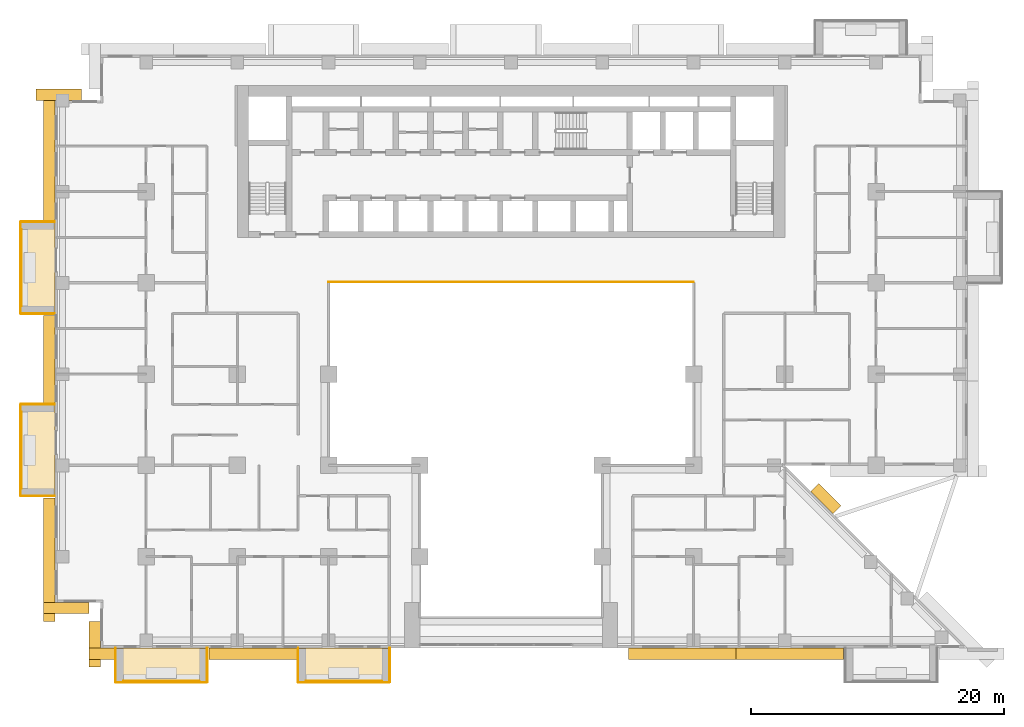
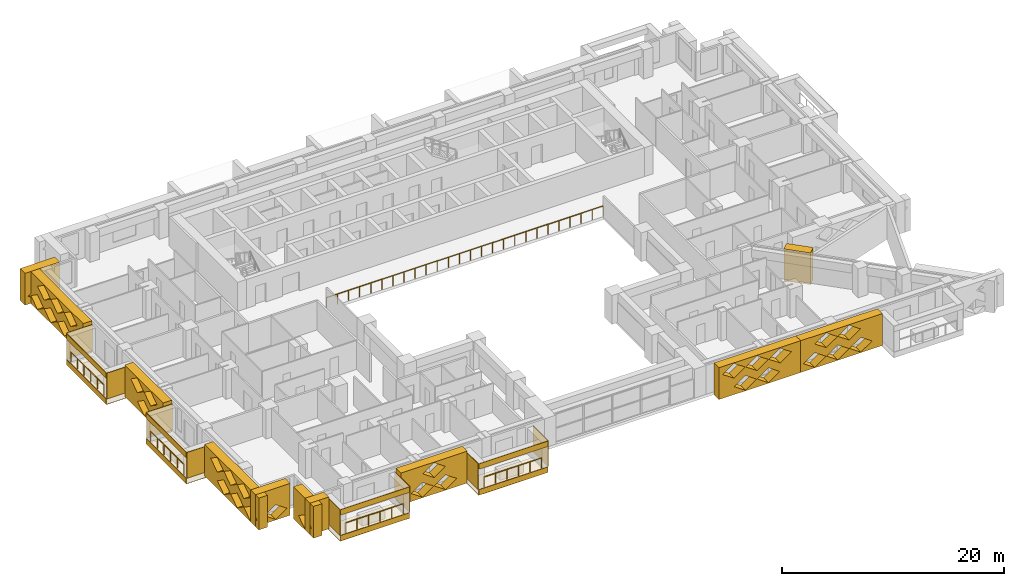
# One storey, part 14 of 17: 31 coverings, 5 railings.
"""IFC4 building model written with IfcOpenShell, lengths in metres."""

from ifc_helpers import new_model, si_unit, direction, frame, origin, origin_2d, place, context, subcontext, project, spatial, polyline, circle, outline, extrude, material, layer, layer_set, type_object, element, save


model = new_model("IFC4")

# Units and contexts
model_context = context("Model", 3, precision=1e-05, world=origin(), true_north=direction((0.0, 1.0)))
body_context = subcontext(model_context, "Body", "Model", "MODEL_VIEW")
ifc_project = project(units=[si_unit("LENGTHUNIT", "METRE"), si_unit("AREAUNIT", "SQUARE_METRE"), si_unit("VOLUMEUNIT", "CUBIC_METRE"), si_unit("PLANEANGLEUNIT", "RADIAN"), si_unit("MASSUNIT", "GRAM", prefix="KILO")], contexts=[model_context])

# Site, building, storey
site_placement = place(None, origin())
site = spatial("IfcSite", under=ifc_project, at=site_placement, CompositionType="ELEMENT")
building_placement = place(site_placement, origin())
building = spatial("IfcBuilding", under=site, at=building_placement, Name="Saffron Iwan Residences", CompositionType="ELEMENT")
storey_placement = place(building_placement, frame((0.0, 0.0, 76.0)))
storey = spatial("IfcBuildingStorey", under=building, at=storey_placement, Name="L19", CompositionType="ELEMENT", Elevation=76.0)

# Railings
ifc_material_1 = material(Name="Stainless steel 316", Category="steel")
railing_type_1 = type_object("IfcRailingType", Name="Atrium guard 1150", PredefinedType="GUARDRAIL", material=ifc_material_1)
railing_placement = place(storey_placement, frame((36.0, 62.47509765625, 0.0)))
element("IfcRailing", 1, at=railing_placement, inside=storey, type_object=railing_type_1, Name="Atrium guard L19", PredefinedType="GUARDRAIL", context=body_context, shape_type="SweptSolid", body=[
    extrude(circle(Radius=0.02392578125, at=origin_2d()), frame((0.0, 0.0, 1.1259765625), z_axis=(1.0, 0.0, 0.0), x_axis=(0.0, 1.0, 0.0)), (0.0, 0.0, 1.0), 28.800048828125),
    extrude(circle(Radius=0.02099609375, at=origin_2d()), origin(), (0.0, 0.0, 1.0), 1.101806640625),
    extrude(circle(Radius=0.02099609375, at=origin_2d()), frame((1.152099609375, 0.0, 0.0)), (0.0, 0.0, 1.0), 1.101806640625),
    extrude(circle(Radius=0.02099609375, at=origin_2d()), frame((2.303955078125, 0.0, 0.0)), (0.0, 0.0, 1.0), 1.101806640625),
    extrude(circle(Radius=0.02099609375, at=origin_2d()), frame((3.4560546875, 0.0, 0.0)), (0.0, 0.0, 1.0), 1.101806640625),
    extrude(circle(Radius=0.02099609375, at=origin_2d()), frame((4.60791015625, 0.0, 0.0)), (0.0, 0.0, 1.0), 1.101806640625),
    extrude(circle(Radius=0.02099609375, at=origin_2d()), frame((5.760009765625, 0.0, 0.0)), (0.0, 0.0, 1.0), 1.101806640625),
    extrude(circle(Radius=0.02099609375, at=origin_2d()), frame((6.912109375, 0.0, 0.0)), (0.0, 0.0, 1.0), 1.101806640625),
    extrude(circle(Radius=0.02099609375, at=origin_2d()), frame((8.06396484375, 0.0, 0.0)), (0.0, 0.0, 1.0), 1.101806640625),
    extrude(circle(Radius=0.02099609375, at=origin_2d()), frame((9.216064453125, 0.0, 0.0)), (0.0, 0.0, 1.0), 1.101806640625),
    extrude(circle(Radius=0.02099609375, at=origin_2d()), frame((10.367919921875, 0.0, 0.0)), (0.0, 0.0, 1.0), 1.101806640625),
    extrude(circle(Radius=0.02099609375, at=origin_2d()), frame((11.52001953125, 0.0, 0.0)), (0.0, 0.0, 1.0), 1.101806640625),
    extrude(circle(Radius=0.02099609375, at=origin_2d()), frame((12.672119140625, 0.0, 0.0)), (0.0, 0.0, 1.0), 1.101806640625),
    extrude(circle(Radius=0.02099609375, at=origin_2d()), frame((13.823974609375, 0.0, 0.0)), (0.0, 0.0, 1.0), 1.101806640625),
    extrude(circle(Radius=0.02099609375, at=origin_2d()), frame((14.97607421875, 0.0, 0.0)), (0.0, 0.0, 1.0), 1.101806640625),
    extrude(circle(Radius=0.02099609375, at=origin_2d()), frame((16.1279296875, 0.0, 0.0)), (0.0, 0.0, 1.0), 1.101806640625),
    extrude(circle(Radius=0.02099609375, at=origin_2d()), frame((17.280029296875, 0.0, 0.0)), (0.0, 0.0, 1.0), 1.101806640625),
    extrude(circle(Radius=0.02099609375, at=origin_2d()), frame((18.43212890625, 0.0, 0.0)), (0.0, 0.0, 1.0), 1.101806640625),
    extrude(circle(Radius=0.02099609375, at=origin_2d()), frame((19.583984375, 0.0, 0.0)), (0.0, 0.0, 1.0), 1.101806640625),
    extrude(circle(Radius=0.02099609375, at=origin_2d()), frame((20.736083984375, 0.0, 0.0)), (0.0, 0.0, 1.0), 1.101806640625),
    extrude(circle(Radius=0.02099609375, at=origin_2d()), frame((21.887939453125, 0.0, 0.0)), (0.0, 0.0, 1.0), 1.101806640625),
    extrude(circle(Radius=0.02099609375, at=origin_2d()), frame((23.0400390625, 0.0, 0.0)), (0.0, 0.0, 1.0), 1.101806640625),
    extrude(circle(Radius=0.02099609375, at=origin_2d()), frame((24.192138671875, 0.0, 0.0)), (0.0, 0.0, 1.0), 1.101806640625),
    extrude(circle(Radius=0.02099609375, at=origin_2d()), frame((25.343994140625, 0.0, 0.0)), (0.0, 0.0, 1.0), 1.101806640625),
    extrude(circle(Radius=0.02099609375, at=origin_2d()), frame((26.49609375, 0.0, 0.0)), (0.0, 0.0, 1.0), 1.101806640625),
    extrude(circle(Radius=0.02099609375, at=origin_2d()), frame((27.64794921875, 0.0, 0.0)), (0.0, 0.0, 1.0), 1.101806640625),
    extrude(circle(Radius=0.02099609375, at=origin_2d()), frame((28.800048828125, 0.0, 0.0)), (0.0, 0.0, 1.0), 1.101806640625),
])
railing_type_2 = type_object("IfcRailingType", Name="BALCONY GUARD 1150", PredefinedType="GUARDRAIL", material=ifc_material_1)
for number, where, name in (
    (2, (11.77490234375, 66.60009765625, 0.0), "Balcony guard L19 F8-0"),
    (3, (11.77490234375, 52.199951171875, 0.0), "Balcony guard L19 F8-1"),
):
    element("IfcRailing", number, at=place(storey_placement, frame(where)), inside=storey, type_object=railing_type_2, Name=name, PredefinedType="GUARDRAIL", context=body_context, shape_type="SweptSolid", body=[
        extrude(circle(Radius=0.02392578125, at=origin_2d()), frame((0.0, 0.0, 1.1259765625), z_axis=(0.0, -1.0, 0.0), x_axis=(1.0, 0.0, 0.0)), (0.0, 0.0, 1.0), 6.0),
        extrude(circle(Radius=0.02099609375, at=origin_2d()), origin(), (0.0, 0.0, 1.0), 1.101806640625),
        extrude(circle(Radius=0.02099609375, at=origin_2d()), frame((0.0, -1.199951171875, 0.0)), (0.0, 0.0, 1.0), 1.101806640625),
        extrude(circle(Radius=0.02099609375, at=origin_2d()), frame((0.0, -2.39990234375, 0.0)), (0.0, 0.0, 1.0), 1.101806640625),
        extrude(circle(Radius=0.02099609375, at=origin_2d()), frame((0.0, -3.60009765625, 0.0)), (0.0, 0.0, 1.0), 1.101806640625),
        extrude(circle(Radius=0.02099609375, at=origin_2d()), frame((0.0, -4.800048828125, 0.0)), (0.0, 0.0, 1.0), 1.101806640625),
        extrude(circle(Radius=0.02099609375, at=origin_2d()), frame((0.0, -6.0, 0.0)), (0.0, 0.0, 1.0), 1.101806640625),
    ])
for number, where, name in (
    (4, (19.800048828125, 30.97509765625, 0.0), "Balcony guard L19 11-0"),
    (5, (34.199951171875, 30.97509765625, 0.0), "Balcony guard L19 11-1"),
):
    element("IfcRailing", number, at=place(storey_placement, frame(where)), inside=storey, type_object=railing_type_2, Name=name, PredefinedType="GUARDRAIL", context=body_context, shape_type="SweptSolid", body=[
        extrude(circle(Radius=0.02392578125, at=origin_2d()), frame((0.0, 0.0, 1.1259765625), z_axis=(1.0, 0.0, 0.0), x_axis=(0.0, 1.0, 0.0)), (0.0, 0.0, 1.0), 6.0),
        extrude(circle(Radius=0.02099609375, at=origin_2d()), origin(), (0.0, 0.0, 1.0), 1.101806640625),
        extrude(circle(Radius=0.02099609375, at=origin_2d()), frame((1.199951171875, 0.0, 0.0)), (0.0, 0.0, 1.0), 1.101806640625),
        extrude(circle(Radius=0.02099609375, at=origin_2d()), frame((2.39990234375, 0.0, 0.0)), (0.0, 0.0, 1.0), 1.101806640625),
        extrude(circle(Radius=0.02099609375, at=origin_2d()), frame((3.60009765625, 0.0, 0.0)), (0.0, 0.0, 1.0), 1.101806640625),
        extrude(circle(Radius=0.02099609375, at=origin_2d()), frame((4.800048828125, 0.0, 0.0)), (0.0, 0.0, 1.0), 1.101806640625),
        extrude(circle(Radius=0.02099609375, at=origin_2d()), frame((6.0, 0.0, 0.0)), (0.0, 0.0, 1.0), 1.101806640625),
    ])

# Coverings
ifc_material_2 = material(Name="Precast concrete C40/50 white painted", Category="concrete")
ifc_layer = layer(ifc_material_2, 0.050048828125)
ifc_layer_set = layer_set([ifc_layer], Name="Precast concrete C40/50 white painted")
covering_type_1 = type_object("IfcCoveringType", Name="FRAME SKIN PRECAST WHITE 50", PredefinedType="CLADDING", material=ifc_layer_set)
for number, where, name in (
    (6, (0.0, 0.0, -0.60009765625), "Frame skin slab edge L19 F8-0"),
    (7, (0.0, 0.0, 2.25), "Frame skin fascia L19 F8-0"),
):
    element("IfcCovering", number, at=place(storey_placement, frame(where)), inside=storey, type_object=covering_type_1, Name=name, PredefinedType="CLADDING", context=body_context, shape_type="SweptSolid", body=[
        extrude(outline(polyline([(11.64990234375, 67.199951171875), (11.64990234375, 60.0), (11.699951171875, 60.0), (11.699951171875, 67.199951171875), (11.64990234375, 67.199951171875)])), origin(), (0.0, 0.0, 1.0), 0.60009765625),
    ])
covering_1_placement = place(storey_placement, frame((0.0, 0.0, -0.64990234375)))
element("IfcCovering", 8, at=covering_1_placement, inside=storey, type_object=covering_type_1, Name="Frame skin soffit L19 F8-0", PredefinedType="CLADDING", context=body_context, shape_type="SweptSolid", body=[
    extrude(outline(polyline([(11.699951171875, 67.199951171875), (11.699951171875, 60.0), (14.39990234375, 60.0), (14.39990234375, 67.199951171875), (11.699951171875, 67.199951171875)])), origin(), (0.0, 0.0, 1.0), 0.0498046875),
])
covering_2_placement = place(storey_placement, origin())
element("IfcCovering", 9, at=covering_2_placement, inside=storey, type_object=covering_type_1, Name="Frame skin fin L19 F8-0a", PredefinedType="CLADDING", context=body_context, shape_type="SweptSolid", body=[
    extrude(outline(polyline([(11.699951171875, 67.25), (11.699951171875, 67.199951171875), (14.39990234375, 67.199951171875), (14.39990234375, 67.25), (11.699951171875, 67.25)])), origin(), (0.0, 0.0, 1.0), 2.85009765625),
])
covering_3_placement = place(storey_placement, origin())
element("IfcCovering", 10, at=covering_3_placement, inside=storey, type_object=covering_type_1, Name="Frame skin fin L19 F8-0b", PredefinedType="CLADDING", context=body_context, shape_type="SweptSolid", body=[
    extrude(outline(polyline([(11.699951171875, 60.0), (11.699951171875, 59.949951171875), (14.39990234375, 59.949951171875), (14.39990234375, 60.0), (11.699951171875, 60.0)])), origin(), (0.0, 0.0, 1.0), 2.85009765625),
])
for number, where, name in (
    (11, (0.0, 0.0, -0.60009765625), "Frame skin slab edge L19 F8-1"),
    (12, (0.0, 0.0, 2.25), "Frame skin fascia L19 F8-1"),
):
    element("IfcCovering", number, at=place(storey_placement, frame(where)), inside=storey, type_object=covering_type_1, Name=name, PredefinedType="CLADDING", context=body_context, shape_type="SweptSolid", body=[
        extrude(outline(polyline([(11.64990234375, 52.800048828125), (11.64990234375, 45.60009765625), (11.699951171875, 45.60009765625), (11.699951171875, 52.800048828125), (11.64990234375, 52.800048828125)])), origin(), (0.0, 0.0, 1.0), 0.60009765625),
    ])
covering_4_placement = place(storey_placement, frame((0.0, 0.0, -0.64990234375)))
element("IfcCovering", 13, at=covering_4_placement, inside=storey, type_object=covering_type_1, Name="Frame skin soffit L19 F8-1", PredefinedType="CLADDING", context=body_context, shape_type="SweptSolid", body=[
    extrude(outline(polyline([(11.699951171875, 52.800048828125), (11.699951171875, 45.60009765625), (14.39990234375, 45.60009765625), (14.39990234375, 52.800048828125), (11.699951171875, 52.800048828125)])), origin(), (0.0, 0.0, 1.0), 0.0498046875),
])
covering_5_placement = place(storey_placement, origin())
element("IfcCovering", 14, at=covering_5_placement, inside=storey, type_object=covering_type_1, Name="Frame skin fin L19 F8-1a", PredefinedType="CLADDING", context=body_context, shape_type="SweptSolid", body=[
    extrude(outline(polyline([(11.699951171875, 52.85009765625), (11.699951171875, 52.800048828125), (14.39990234375, 52.800048828125), (14.39990234375, 52.85009765625), (11.699951171875, 52.85009765625)])), origin(), (0.0, 0.0, 1.0), 2.85009765625),
])
covering_6_placement = place(storey_placement, origin())
element("IfcCovering", 15, at=covering_6_placement, inside=storey, type_object=covering_type_1, Name="Frame skin fin L19 F8-1b", PredefinedType="CLADDING", context=body_context, shape_type="SweptSolid", body=[
    extrude(outline(polyline([(11.699951171875, 45.60009765625), (11.699951171875, 45.550048828125), (14.39990234375, 45.550048828125), (14.39990234375, 45.60009765625), (11.699951171875, 45.60009765625)])), origin(), (0.0, 0.0, 1.0), 2.85009765625),
])
for number, where, name in (
    (16, (0.0, 0.0, -0.60009765625), "Frame skin slab edge L19 11-0"),
    (17, (0.0, 0.0, 2.25), "Frame skin fascia L19 11-0"),
):
    element("IfcCovering", number, at=place(storey_placement, frame(where)), inside=storey, type_object=covering_type_1, Name=name, PredefinedType="CLADDING", context=body_context, shape_type="SweptSolid", body=[
        extrude(outline(polyline([(19.199951171875, 30.85009765625), (26.39990234375, 30.85009765625), (26.39990234375, 30.89990234375), (19.199951171875, 30.89990234375), (19.199951171875, 30.85009765625)])), origin(), (0.0, 0.0, 1.0), 0.60009765625),
    ])
covering_7_placement = place(storey_placement, frame((0.0, 0.0, -0.64990234375)))
element("IfcCovering", 18, at=covering_7_placement, inside=storey, type_object=covering_type_1, Name="Frame skin soffit L19 11-0", PredefinedType="CLADDING", context=body_context, shape_type="SweptSolid", body=[
    extrude(outline(polyline([(19.199951171875, 30.89990234375), (26.39990234375, 30.89990234375), (26.39990234375, 33.60009765625), (19.199951171875, 33.60009765625), (19.199951171875, 30.89990234375)])), origin(), (0.0, 0.0, 1.0), 0.0498046875),
])
covering_8_placement = place(storey_placement, origin())
element("IfcCovering", 19, at=covering_8_placement, inside=storey, type_object=covering_type_1, Name="Frame skin fin L19 11-0a", PredefinedType="CLADDING", context=body_context, shape_type="SweptSolid", body=[
    extrude(outline(polyline([(19.14990234375, 30.89990234375), (19.199951171875, 30.89990234375), (19.199951171875, 33.60009765625), (19.14990234375, 33.60009765625), (19.14990234375, 30.89990234375)])), origin(), (0.0, 0.0, 1.0), 2.85009765625),
])
covering_9_placement = place(storey_placement, origin())
element("IfcCovering", 20, at=covering_9_placement, inside=storey, type_object=covering_type_1, Name="Frame skin fin L19 11-0b", PredefinedType="CLADDING", context=body_context, shape_type="SweptSolid", body=[
    extrude(outline(polyline([(26.39990234375, 30.89990234375), (26.449951171875, 30.89990234375), (26.449951171875, 33.60009765625), (26.39990234375, 33.60009765625), (26.39990234375, 30.89990234375)])), origin(), (0.0, 0.0, 1.0), 2.85009765625),
])
for number, where, name in (
    (21, (0.0, 0.0, -0.60009765625), "Frame skin slab edge L19 11-1"),
    (22, (0.0, 0.0, 2.25), "Frame skin fascia L19 11-1"),
):
    element("IfcCovering", number, at=place(storey_placement, frame(where)), inside=storey, type_object=covering_type_1, Name=name, PredefinedType="CLADDING", context=body_context, shape_type="SweptSolid", body=[
        extrude(outline(polyline([(33.60009765625, 30.85009765625), (40.800048828125, 30.85009765625), (40.800048828125, 30.89990234375), (33.60009765625, 30.89990234375), (33.60009765625, 30.85009765625)])), origin(), (0.0, 0.0, 1.0), 0.60009765625),
    ])
covering_10_placement = place(storey_placement, frame((0.0, 0.0, -0.64990234375)))
element("IfcCovering", 23, at=covering_10_placement, inside=storey, type_object=covering_type_1, Name="Frame skin soffit L19 11-1", PredefinedType="CLADDING", context=body_context, shape_type="SweptSolid", body=[
    extrude(outline(polyline([(33.60009765625, 30.89990234375), (40.800048828125, 30.89990234375), (40.800048828125, 33.60009765625), (33.60009765625, 33.60009765625), (33.60009765625, 30.89990234375)])), origin(), (0.0, 0.0, 1.0), 0.0498046875),
])
covering_11_placement = place(storey_placement, origin())
element("IfcCovering", 24, at=covering_11_placement, inside=storey, type_object=covering_type_1, Name="Frame skin fin L19 11-1a", PredefinedType="CLADDING", context=body_context, shape_type="SweptSolid", body=[
    extrude(outline(polyline([(33.550048828125, 30.89990234375), (33.60009765625, 30.89990234375), (33.60009765625, 33.60009765625), (33.550048828125, 33.60009765625), (33.550048828125, 30.89990234375)])), origin(), (0.0, 0.0, 1.0), 2.85009765625),
])
covering_12_placement = place(storey_placement, origin())
element("IfcCovering", 25, at=covering_12_placement, inside=storey, type_object=covering_type_1, Name="Frame skin fin L19 11-1b", PredefinedType="CLADDING", context=body_context, shape_type="SweptSolid", body=[
    extrude(outline(polyline([(40.800048828125, 30.89990234375), (40.85009765625, 30.89990234375), (40.85009765625, 33.60009765625), (40.800048828125, 33.60009765625), (40.800048828125, 30.89990234375)])), origin(), (0.0, 0.0, 1.0), 2.85009765625),
])
ifc_material_3 = material(Name="Precast concrete C40/50", Category="concrete")
covering_type_2 = type_object("IfcCoveringType", Name="OUTER SKIN LATTICE SCREEN", PredefinedType="CLADDING", material=ifc_material_3)
covering_13_placement = place(storey_placement, frame((75.805908203125, 44.194091796875, -0.320068359375), z_axis=(0.707106781187, 0.707106781187, 0.0), x_axis=(-0.707106781187, 0.707106781187, 0.0)))
element("IfcCovering", 26, at=covering_13_placement, inside=storey, type_object=covering_type_2, Name="OUTER SKIN lattice screen L19 F0.1", PredefinedType="CLADDING", context=body_context, shape_type="SweptSolid", body=[
    extrude(outline(polyline([(0.0, 0.0), (2.4853515625, 0.0), (2.4853515625, 3.5), (0.0, 3.5), (0.0, 0.0)])), origin(), (0.0, 0.0, 1.0), 0.900146484375),
])
covering_14_placement = place(storey_placement, frame((16.5, 76.800048828125, -0.320068359375), z_axis=(0.0, 1.0, 0.0), x_axis=(-1.0, 0.0, 0.0)))
element("IfcCovering", 27, at=covering_14_placement, inside=storey, type_object=covering_type_2, Name="OUTER SKIN lattice screen L19 F7.0", PredefinedType="CLADDING", context=body_context, shape_type="SweptSolid", body=[
    extrude(outline(polyline([(0.0, 0.0), (3.60009765625, 0.0), (3.60009765625, 3.5), (0.0, 3.5), (0.0, 0.0)]), holes=[polyline([(0.919921875, 0.875), (2.10009765625, 0.06005859375), (3.280029296875, 0.875), (2.10009765625, 1.68994140625), (0.919921875, 0.875)])]), origin(), (0.0, 0.0, 1.0), 0.89990234375),
])
covering_15_placement = place(storey_placement, frame((14.39990234375, 77.699951171875, -0.320068359375), z_axis=(-1.0, 0.0, 0.0), x_axis=(0.0, -1.0, 0.0)))
element("IfcCovering", 28, at=covering_15_placement, inside=storey, type_object=covering_type_2, Name="OUTER SKIN lattice screen L19 F8.0", PredefinedType="CLADDING", context=body_context, shape_type="SweptSolid", body=[
    extrude(outline(polyline([(0.0, 0.0), (10.35009765625, 0.0), (10.35009765625, 3.5), (0.0, 3.5), (0.0, 0.0)]), holes=[polyline([(0.919921875, 0.875), (2.10009765625, 0.06005859375), (3.280029296875, 0.875), (2.10009765625, 1.68994140625), (0.919921875, 0.875)]), polyline([(3.320068359375, 0.875), (4.5, 0.06005859375), (5.679931640625, 0.875), (4.5, 1.68994140625), (3.320068359375, 0.875)]), polyline([(5.719970703125, 0.875), (6.89990234375, 0.06005859375), (8.080078125, 0.875), (6.89990234375, 1.68994140625), (5.719970703125, 0.875)]), polyline([(2.1201171875, 2.625), (3.300048828125, 1.81005859375), (4.47998046875, 2.625), (3.300048828125, 3.43994140625), (2.1201171875, 2.625)]), polyline([(4.52001953125, 2.625), (5.699951171875, 1.81005859375), (6.8798828125, 2.625), (5.699951171875, 3.43994140625), (4.52001953125, 2.625)]), polyline([(6.919921875, 2.625), (8.10009765625, 1.81005859375), (9.280029296875, 2.625), (8.10009765625, 3.43994140625), (6.919921875, 2.625)])]), origin(), (0.0, 0.0, 1.0), 0.89990234375),
])
covering_16_placement = place(storey_placement, frame((14.39990234375, 59.85009765625, -0.320068359375), z_axis=(-1.0, 0.0, 0.0), x_axis=(0.0, -1.0, 0.0)))
element("IfcCovering", 29, at=covering_16_placement, inside=storey, type_object=covering_type_2, Name="OUTER SKIN lattice screen L19 F8.1", PredefinedType="CLADDING", context=body_context, shape_type="SweptSolid", body=[
    extrude(outline(polyline([(0.0, 0.0), (6.89990234375, 0.0), (6.89990234375, 3.5), (0.0, 3.5), (0.0, 0.0)]), holes=[polyline([(2.27001953125, 0.875), (3.449951171875, 0.06005859375), (4.6298828125, 0.875), (3.449951171875, 1.68994140625), (2.27001953125, 0.875)]), polyline([(1.070068359375, 2.625), (2.25, 1.81005859375), (3.429931640625, 2.625), (2.25, 3.43994140625), (1.070068359375, 2.625)]), polyline([(3.469970703125, 2.625), (4.64990234375, 1.81005859375), (5.830078125, 2.625), (4.64990234375, 3.43994140625), (3.469970703125, 2.625)])]), origin(), (0.0, 0.0, 1.0), 0.89990234375),
])
covering_17_placement = place(storey_placement, frame((14.39990234375, 45.449951171875, -0.320068359375), z_axis=(-1.0, 0.0, 0.0), x_axis=(0.0, -1.0, 0.0)))
element("IfcCovering", 30, at=covering_17_placement, inside=storey, type_object=covering_type_2, Name="OUTER SKIN lattice screen L19 F8.2", PredefinedType="CLADDING", context=body_context, shape_type="SweptSolid", body=[
    extrude(outline(polyline([(0.0, 0.0), (9.75, 0.0), (9.75, 3.5), (0.0, 3.5), (0.0, 0.0)]), holes=[polyline([(2.27001953125, 0.875), (3.449951171875, 0.06005859375), (4.6298828125, 0.875), (3.449951171875, 1.68994140625), (2.27001953125, 0.875)]), polyline([(4.669921875, 0.875), (5.85009765625, 0.06005859375), (7.030029296875, 0.875), (5.85009765625, 1.68994140625), (4.669921875, 0.875)]), polyline([(7.070068359375, 0.875), (8.25, 0.06005859375), (9.429931640625, 0.875), (8.25, 1.68994140625), (7.070068359375, 0.875)]), polyline([(1.070068359375, 2.625), (2.25, 1.81005859375), (3.429931640625, 2.625), (2.25, 3.43994140625), (1.070068359375, 2.625)]), polyline([(3.469970703125, 2.625), (4.64990234375, 1.81005859375), (5.830078125, 2.625), (4.64990234375, 3.43994140625), (3.469970703125, 2.625)]), polyline([(5.8701171875, 2.625), (7.050048828125, 1.81005859375), (8.22998046875, 2.625), (7.050048828125, 3.43994140625), (5.8701171875, 2.625)])]), origin(), (0.0, 0.0, 1.0), 0.89990234375),
])
for number, where, z_axis, x_axis, name in (
    (31, (13.5, 37.199951171875, -0.320068359375), (0.0, -1.0, 0.0), (1.0, 0.0, 0.0), "OUTER SKIN lattice screen L19 F9.0"),
    (32, (18.0, 35.699951171875, -0.320068359375), (-1.0, 0.0, 0.0), (0.0, -1.0, 0.0), "OUTER SKIN lattice screen L19 F10.0"),
):
    element("IfcCovering", number, at=place(storey_placement, frame(where, z_axis=z_axis, x_axis=x_axis)), inside=storey, type_object=covering_type_2, Name=name, PredefinedType="CLADDING", context=body_context, shape_type="SweptSolid", body=[
        extrude(outline(polyline([(0.0, 0.0), (3.60009765625, 0.0), (3.60009765625, 3.5), (0.0, 3.5), (0.0, 0.0)]), holes=[polyline([(0.919921875, 0.875), (2.10009765625, 0.06005859375), (3.280029296875, 0.875), (2.10009765625, 1.68994140625), (0.919921875, 0.875)])]), origin(), (0.0, 0.0, 1.0), 0.89990234375),
    ])
covering_18_placement = place(storey_placement, frame((17.10009765625, 33.60009765625, -0.320068359375), z_axis=(0.0, -1.0, 0.0), x_axis=(1.0, 0.0, 0.0)))
element("IfcCovering", 33, at=covering_18_placement, inside=storey, type_object=covering_type_2, Name="OUTER SKIN lattice screen L19 F11.0", PredefinedType="CLADDING", context=body_context, shape_type="SweptSolid", body=[
    extrude(outline(polyline([(0.0, 0.0), (1.949951171875, 0.0), (1.949951171875, 3.5), (0.0, 3.5), (0.0, 0.0)])), origin(), (0.0, 0.0, 1.0), 0.900146484375),
])
covering_19_placement = place(storey_placement, frame((26.550048828125, 33.60009765625, -0.320068359375), z_axis=(0.0, -1.0, 0.0), x_axis=(1.0, 0.0, 0.0)))
element("IfcCovering", 34, at=covering_19_placement, inside=storey, type_object=covering_type_2, Name="OUTER SKIN lattice screen L19 F11.1", PredefinedType="CLADDING", context=body_context, shape_type="SweptSolid", body=[
    extrude(outline(polyline([(0.0, 0.0), (6.89990234375, 0.0), (6.89990234375, 3.5), (0.0, 3.5), (0.0, 0.0)]), holes=[polyline([(1.070068359375, 0.875), (2.25, 0.06005859375), (3.429931640625, 0.875), (2.25, 1.68994140625), (1.070068359375, 0.875)]), polyline([(3.469970703125, 0.875), (4.64990234375, 0.06005859375), (5.830078125, 0.875), (4.64990234375, 1.68994140625), (3.469970703125, 0.875)]), polyline([(2.27001953125, 2.625), (3.449951171875, 1.81005859375), (4.6298828125, 2.625), (3.449951171875, 3.43994140625), (2.27001953125, 2.625)])]), origin(), (0.0, 0.0, 1.0), 0.900146484375),
])
covering_20_placement = place(storey_placement, frame((59.64990234375, 33.60009765625, -0.320068359375), z_axis=(0.0, -1.0, 0.0), x_axis=(1.0, 0.0, 0.0)))
element("IfcCovering", 35, at=covering_20_placement, inside=storey, type_object=covering_type_2, Name="OUTER SKIN lattice screen L19 F11.2", PredefinedType="CLADDING", context=body_context, shape_type="SweptSolid", body=[
    extrude(outline(polyline([(0.0, 0.0), (8.5, 0.0), (8.5, 3.5), (0.0, 3.5), (0.0, 0.0)]), holes=[polyline([(1.570068359375, 0.875), (2.75, 0.06005859375), (3.929931640625, 0.875), (2.75, 1.68994140625), (1.570068359375, 0.875)]), polyline([(3.969970703125, 0.875), (5.14990234375, 0.06005859375), (6.330078125, 0.875), (5.14990234375, 1.68994140625), (3.969970703125, 0.875)]), polyline([(0.3701171875, 2.625), (1.550048828125, 1.81005859375), (2.72998046875, 2.625), (1.550048828125, 3.43994140625), (0.3701171875, 2.625)]), polyline([(2.77001953125, 2.625), (3.949951171875, 1.81005859375), (5.1298828125, 2.625), (3.949951171875, 3.43994140625), (2.77001953125, 2.625)]), polyline([(5.169921875, 2.625), (6.35009765625, 1.81005859375), (7.530029296875, 2.625), (6.35009765625, 3.43994140625), (5.169921875, 2.625)])]), origin(), (0.0, 0.0, 1.0), 0.900146484375),
])
covering_21_placement = place(storey_placement, frame((68.14990234375, 33.60009765625, -0.320068359375), z_axis=(0.0, -1.0, 0.0), x_axis=(1.0, 0.0, 0.0)))
element("IfcCovering", 36, at=covering_21_placement, inside=storey, type_object=covering_type_2, Name="OUTER SKIN lattice screen L19 F11.3", PredefinedType="CLADDING", context=body_context, shape_type="SweptSolid", body=[
    extrude(outline(polyline([(0.0, 0.0), (8.5, 0.0), (8.5, 3.5), (0.0, 3.5), (0.0, 0.0)]), holes=[polyline([(0.27001953125, 0.875), (1.449951171875, 0.06005859375), (2.6298828125, 0.875), (1.449951171875, 1.68994140625), (0.27001953125, 0.875)]), polyline([(2.669921875, 0.875), (3.85009765625, 0.06005859375), (5.030029296875, 0.875), (3.85009765625, 1.68994140625), (2.669921875, 0.875)]), polyline([(5.070068359375, 0.875), (6.25, 0.06005859375), (7.429931640625, 0.875), (6.25, 1.68994140625), (5.070068359375, 0.875)]), polyline([(1.469970703125, 2.625), (2.64990234375, 1.81005859375), (3.830078125, 2.625), (2.64990234375, 3.43994140625), (1.469970703125, 2.625)]), polyline([(3.8701171875, 2.625), (5.050048828125, 1.81005859375), (6.22998046875, 2.625), (5.050048828125, 3.43994140625), (3.8701171875, 2.625)])]), origin(), (0.0, 0.0, 1.0), 0.900146484375),
])

save(model, "model.ifc")
